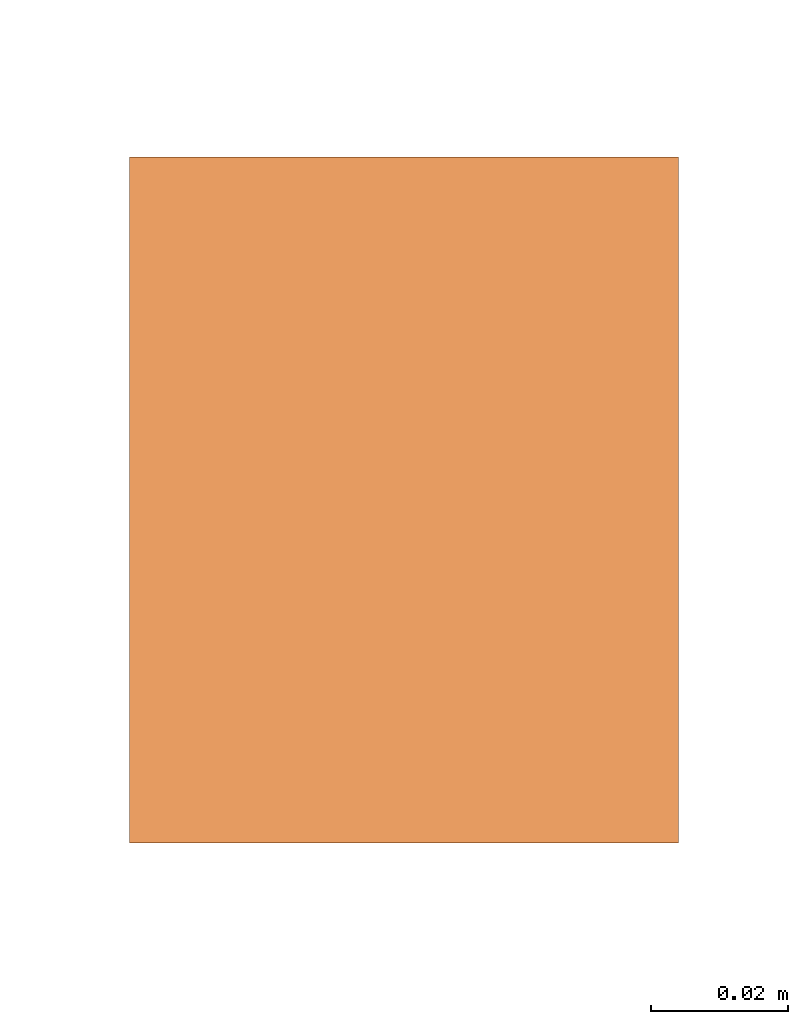
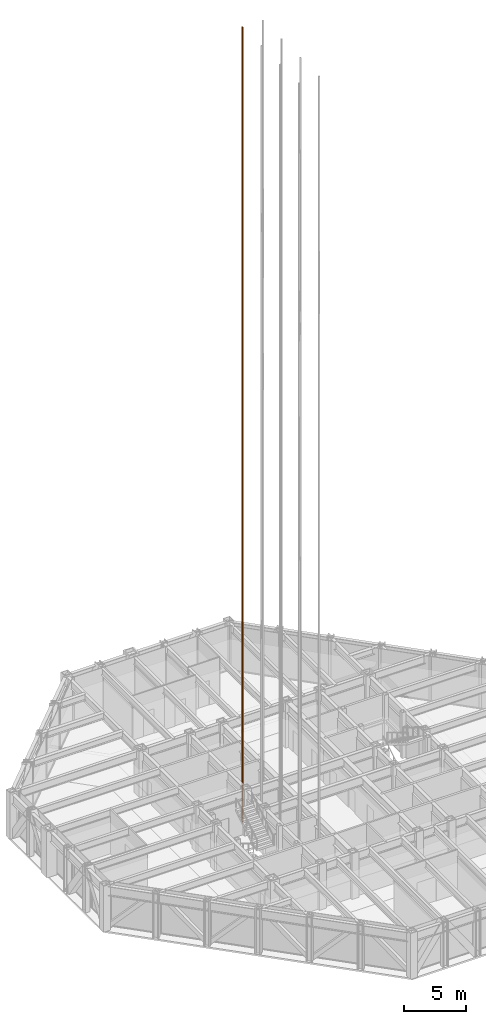
# One storey, part 23 of 24: 1 proxy.
"""IFC4 building model written with IfcOpenShell, lengths in metres."""

from ifc_helpers import new_model, si_unit, direction, frame, origin, origin_2d, place, context, subcontext, project, spatial, rectangle, extrude, material, type_object, element, save


model = new_model("IFC4")

# Units and contexts
model_context = context("Model", 3, precision=1e-05, world=origin(), true_north=direction((0.0, 1.0)))
body_context = subcontext(model_context, "Body", "Model", "MODEL_VIEW")
ifc_project = project(units=[si_unit("LENGTHUNIT", "METRE"), si_unit("AREAUNIT", "SQUARE_METRE"), si_unit("VOLUMEUNIT", "CUBIC_METRE"), si_unit("PLANEANGLEUNIT", "RADIAN"), si_unit("MASSUNIT", "GRAM", prefix="KILO")], contexts=[model_context])

# Site, building, storey
site_placement = place(None, origin())
site = spatial("IfcSite", under=ifc_project, at=site_placement, CompositionType="ELEMENT")
building_placement = place(site_placement, origin())
building = spatial("IfcBuilding", under=site, at=building_placement, Name="Chuquiago Exchange Tower", CompositionType="ELEMENT")
storey_placement = place(building_placement, frame((0.0, 0.0, 180.0)))
storey = spatial("IfcBuildingStorey", under=building, at=storey_placement, Name="L39", CompositionType="ELEMENT", Elevation=180.0)

# Proxy
ifc_material = material(Name="Galvanised steel guide rail", Category="steel")
building_element_proxy_type = type_object("IfcBuildingElementProxyType", Name="LR lift guide rail", PredefinedType="NOTDEFINED", material=ifc_material)
proxy_placement = place(storey_placement, frame((17.06494140625, 25.5, 0.0), z_axis=(0.0, 0.0, 1.0), x_axis=(1.0, 0.0, 0.0)))
element("IfcBuildingElementProxy", 1, at=proxy_placement, inside=storey, type_object=building_element_proxy_type, Name="Lift LC4 guide rail W", PredefinedType="NOTDEFINED", context=body_context, shape_type="SweptSolid", body=[
    extrude(rectangle(XDim=0.080078125, YDim=0.10009765625, at=origin_2d()), origin(), (0.0, 0.0, 1.0), 77.699951171875),
])

save(model, "model.ifc")
